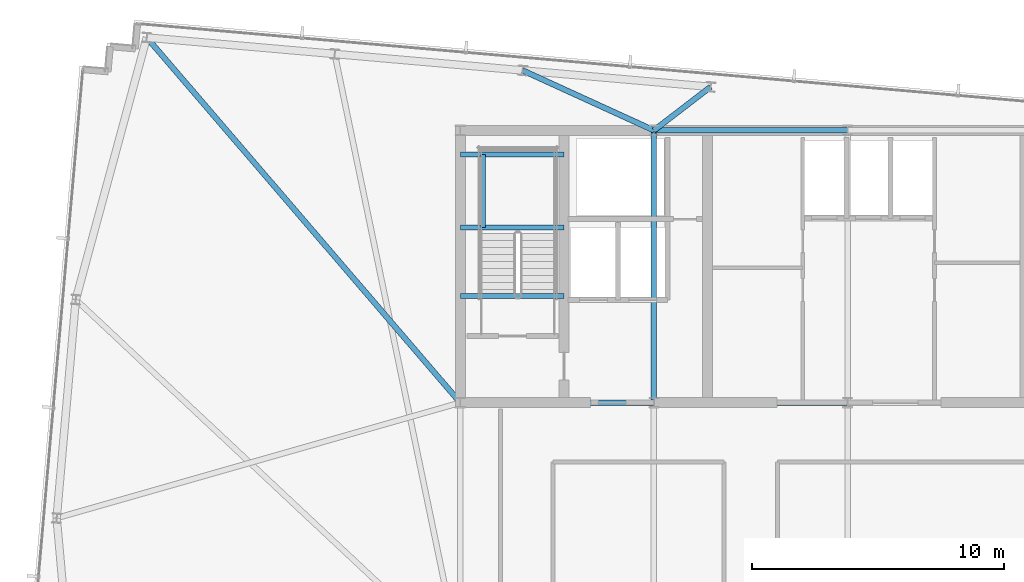
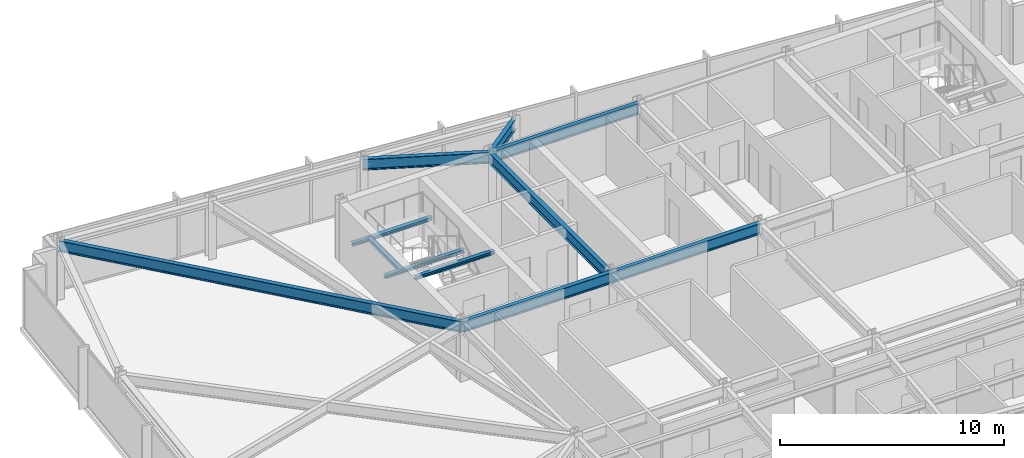
# One storey, part 12 of 32: 11 beams.
"""IFC4 building model written with IfcOpenShell, lengths in metres."""

from ifc_helpers import new_model, si_unit, direction, frame, origin, origin_2d, place, context, subcontext, project, spatial, i_section, extrude, material, material_profile, profile_set, type_object, element, save


model = new_model("IFC4")

# Units and contexts
model_context = context("Model", 3, precision=1e-05, world=origin(), true_north=direction((0.0, 1.0)))
body_context = subcontext(model_context, "Body", "Model", "MODEL_VIEW")
ifc_project = project(units=[si_unit("LENGTHUNIT", "METRE"), si_unit("AREAUNIT", "SQUARE_METRE"), si_unit("VOLUMEUNIT", "CUBIC_METRE"), si_unit("PLANEANGLEUNIT", "RADIAN"), si_unit("MASSUNIT", "GRAM", prefix="KILO")], contexts=[model_context])

# Site, building, storey
site_placement = place(None, origin())
site = spatial("IfcSite", under=ifc_project, at=site_placement, CompositionType="ELEMENT")
building_placement = place(site_placement, origin())
building = spatial("IfcBuilding", under=site, at=building_placement, Name="Yelkora Congress Tower", CompositionType="ELEMENT")
storey_placement = place(building_placement, frame((0.0, 0.0, 279.5)))
storey = spatial("IfcBuildingStorey", under=building, at=storey_placement, Name="L78", CompositionType="ELEMENT", Elevation=279.5)

# Beams
ifc_material = material(Name="Steel S355J2", Category="steel")
ifc_material_profile_1 = material_profile(ifc_material, i_section(OverallWidth=0.219970703125, OverallDepth=0.60009765625, WebThickness=0.011962890625, FlangeThickness=0.01904296875, FilletRadius=0.02392578125, at=origin_2d()), Name="IPE 600")
ifc_profile_set_1 = profile_set([ifc_material_profile_1], Name="Steel S355J2")
beam_type_1 = type_object("IfcBeamType", Name="BM-GIRD-IPE600", PredefinedType="BEAM", material=ifc_profile_set_1)
for number, where, z_axis, x_axis, name in (
    (1, (30.719970703125, 46.199951171875, 2.8798828125), (1.0, 0.0, 0.0), (0.0, 1.0, 0.0), "L78 Core North Girder 2"),
    (2, (23.0400390625, 35.39990234375, 2.8798828125), (1.0, 0.0, 0.0), (0.0, 1.0, 0.0), "L78 Core South Girder 1"),
    (3, (30.719970703125, 35.39990234375, 2.8798828125), (1.0, 0.0, 0.0), (0.0, 1.0, 0.0), "L78 Core South Girder 2"),
):
    element("IfcBeam", number, at=place(storey_placement, frame(where, z_axis=z_axis, x_axis=x_axis)), inside=storey, type_object=beam_type_1, Name=name, PredefinedType="BEAM", context=body_context, shape_type="SweptSolid", body=[
        extrude(i_section(OverallWidth=0.219970703125, OverallDepth=0.60009765625, WebThickness=0.011962890625, FlangeThickness=0.01904296875, FilletRadius=0.02392578125, at=origin_2d()), origin(), (0.0, 0.0, 1.0), 7.679931640625),
    ])
beam_1_placement = place(storey_placement, frame((30.719970703125, 35.39990234375, 2.8798828125), z_axis=(0.0, 1.0, 0.0), x_axis=(-1.0, 0.0, 0.0)))
element("IfcBeam", 4, at=beam_1_placement, inside=storey, type_object=beam_type_1, Name="L78 Core Tie Girder MC-S2", PredefinedType="BEAM", context=body_context, shape_type="SweptSolid", body=[
    extrude(i_section(OverallWidth=0.219970703125, OverallDepth=0.60009765625, WebThickness=0.011962890625, FlangeThickness=0.01904296875, FilletRadius=0.02392578125, at=origin_2d()), origin(), (0.0, 0.0, 1.0), 10.800048828125),
])
beam_2_placement = place(storey_placement, frame((10.60400390625, 49.884033203125, 2.8798828125), z_axis=(0.651427266579, -0.758711088859, 0.0), x_axis=(0.758711088859, 0.651427266579, 0.0)))
element("IfcBeam", 5, at=beam_2_placement, inside=storey, type_object=beam_type_1, Name="L78 Primary Frame Girder N01", PredefinedType="BEAM", context=body_context, shape_type="SweptSolid", body=[
    extrude(i_section(OverallWidth=0.219970703125, OverallDepth=0.60009765625, WebThickness=0.011962890625, FlangeThickness=0.01904296875, FilletRadius=0.02392578125, at=origin_2d()), origin(), (0.0, 0.0, 1.0), 19.09033203125),
])
beam_3_placement = place(storey_placement, frame((25.513916015625, 48.57958984375, 2.8798828125), z_axis=(0.909492445228, -0.415720449429, 0.0), x_axis=(0.415720449429, 0.909492445228, 0.0)))
element("IfcBeam", 6, at=beam_3_placement, inside=storey, type_object=beam_type_1, Name="L78 Primary Frame Girder N03", PredefinedType="BEAM", context=body_context, shape_type="SweptSolid", body=[
    extrude(i_section(OverallWidth=0.219970703125, OverallDepth=0.60009765625, WebThickness=0.011962890625, FlangeThickness=0.01904296875, FilletRadius=0.02392578125, at=origin_2d()), origin(), (0.0, 0.0, 1.0), 5.72412109375),
])
beam_4_placement = place(storey_placement, frame((32.968505859375, 47.927490234375, 2.8798828125), z_axis=(-0.792982335977, -0.609244626425, 0.0), x_axis=(0.609244626425, -0.792982335977, 0.0)))
element("IfcBeam", 7, at=beam_4_placement, inside=storey, type_object=beam_type_1, Name="L78 Primary Frame Girder N04", PredefinedType="BEAM", context=body_context, shape_type="SweptSolid", body=[
    extrude(i_section(OverallWidth=0.219970703125, OverallDepth=0.60009765625, WebThickness=0.011962890625, FlangeThickness=0.01904296875, FilletRadius=0.02392578125, at=origin_2d()), origin(), (0.0, 0.0, 1.0), 2.83544921875),
])
ifc_material_profile_2 = material_profile(ifc_material, i_section(OverallWidth=0.199951171875, OverallDepth=0.18994140625, WebThickness=0.006591796875, FlangeThickness=0.010009765625, FilletRadius=0.01806640625, at=origin_2d()), Name="HEA 200")
ifc_profile_set_2 = profile_set([ifc_material_profile_2], Name="Steel S355J2")
beam_type_2 = type_object("IfcBeamType", Name="BM-LAND-HEA200", PredefinedType="BEAM", material=ifc_profile_set_2)
for number, where, z_axis, x_axis, name in (
    (8, (23.0400390625, 42.340087890625, 1.384521484375), (1.0, 0.0, 0.0), (0.0, 1.0, 0.0), "ST-01 L78 Landing Header Beam 1S"),
    (9, (23.0400390625, 45.25, 1.384521484375), (1.0, 0.0, 0.0), (0.0, 1.0, 0.0), "ST-01 L78 Landing Header Beam 1N"),
):
    element("IfcBeam", number, at=place(storey_placement, frame(where, z_axis=z_axis, x_axis=x_axis)), inside=storey, type_object=beam_type_2, Name=name, PredefinedType="BEAM", context=body_context, shape_type="SweptSolid", body=[
        extrude(i_section(OverallWidth=0.199951171875, OverallDepth=0.18994140625, WebThickness=0.006591796875, FlangeThickness=0.010009765625, FilletRadius=0.01806640625, at=origin_2d()), origin(), (0.0, 0.0, 1.0), 4.10986328125),
    ])
beam_5_placement = place(storey_placement, frame((23.93994140625, 42.340087890625, 1.384521484375), z_axis=(0.0, 1.0, 0.0), x_axis=(-1.0, 0.0, 0.0)))
element("IfcBeam", 10, at=beam_5_placement, inside=storey, type_object=beam_type_2, Name="ST-01 L78 Landing Trimmer Beam 1M", PredefinedType="BEAM", context=body_context, shape_type="SweptSolid", body=[
    extrude(i_section(OverallWidth=0.199951171875, OverallDepth=0.18994140625, WebThickness=0.006591796875, FlangeThickness=0.010009765625, FilletRadius=0.01806640625, at=origin_2d()), origin(), (0.0, 0.0, 1.0), 2.909912109375),
])
beam_6_placement = place(storey_placement, frame((23.0400390625, 39.639892578125, 2.947509765625), z_axis=(1.0, 0.0, 0.0), x_axis=(0.0, 1.0, 0.0)))
element("IfcBeam", 11, at=beam_6_placement, inside=storey, type_object=beam_type_2, Name="ST-01 L78 Floor Arrival Stringer Header Beam", PredefinedType="BEAM", context=body_context, shape_type="SweptSolid", body=[
    extrude(i_section(OverallWidth=0.199951171875, OverallDepth=0.18994140625, WebThickness=0.006591796875, FlangeThickness=0.010009765625, FilletRadius=0.01806640625, at=origin_2d()), origin(), (0.0, 0.0, 1.0), 4.10986328125),
])

save(model, "model.ifc")
